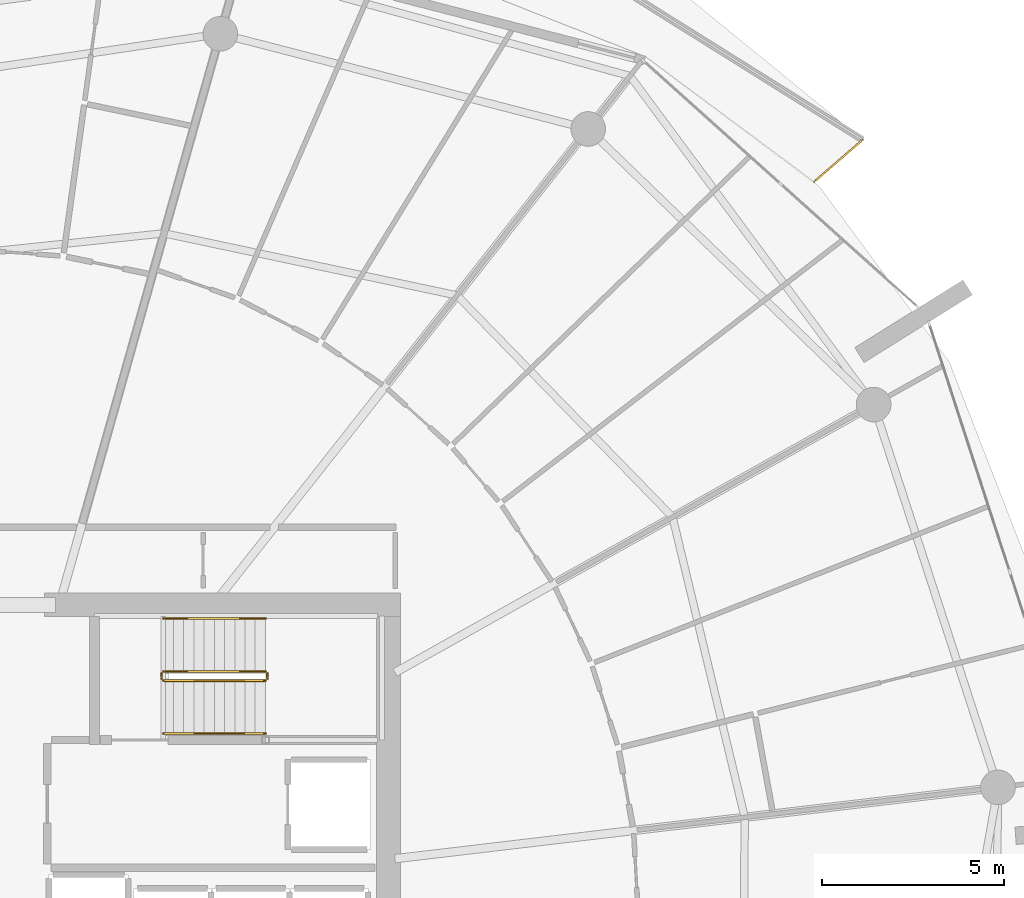
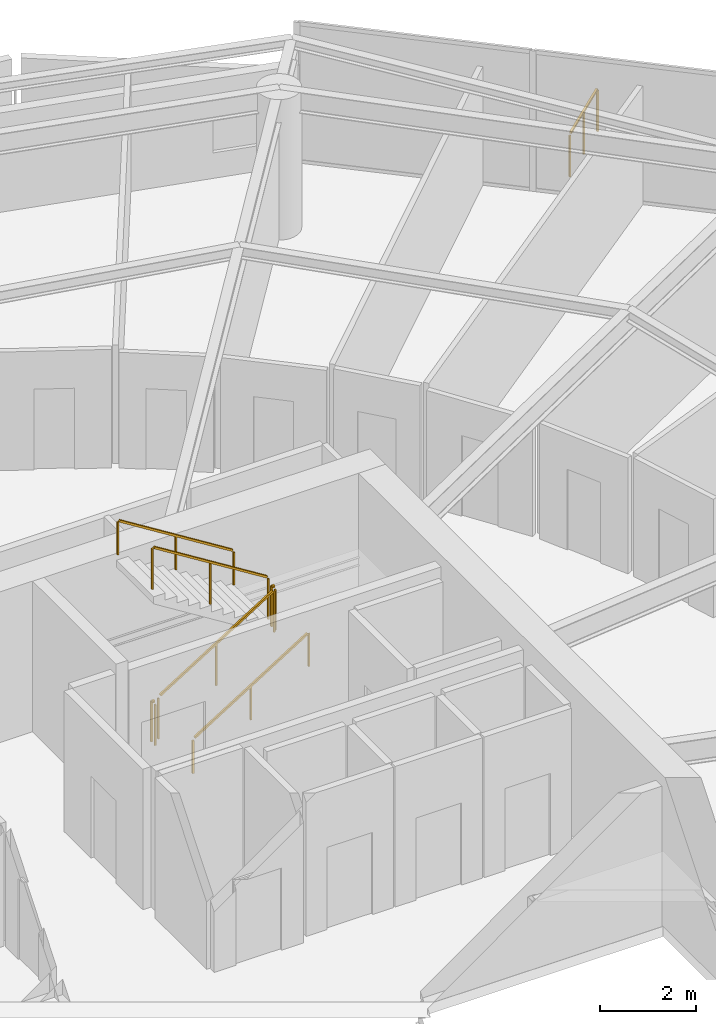
# One storey, part 28 of 29: 7 railings.
"""IFC4 building model written with IfcOpenShell, lengths in metres."""

from ifc_helpers import new_model, si_unit, direction, frame, origin, origin_2d, place, context, subcontext, project, spatial, rectangle, extrude, material, type_object, element, save


model = new_model("IFC4")

# Units and contexts
model_context = context("Model", 3, precision=1e-05, world=origin(), true_north=direction((0.0, 1.0)))
body_context = subcontext(model_context, "Body", "Model", "MODEL_VIEW")
ifc_project = project(units=[si_unit("LENGTHUNIT", "METRE"), si_unit("AREAUNIT", "SQUARE_METRE"), si_unit("VOLUMEUNIT", "CUBIC_METRE"), si_unit("PLANEANGLEUNIT", "RADIAN"), si_unit("MASSUNIT", "GRAM", prefix="KILO")], contexts=[model_context])

# Site, building, storey
site_placement = place(None, origin())
site = spatial("IfcSite", under=ifc_project, at=site_placement, CompositionType="ELEMENT")
building_placement = place(site_placement, origin())
building = spatial("IfcBuilding", under=site, at=building_placement, Name="Kazma Halo Residences", CompositionType="ELEMENT")
storey_placement = place(building_placement, frame((0.0, 0.0, 252.10009765625)))
storey = spatial("IfcBuildingStorey", under=building, at=storey_placement, Name="L63", CompositionType="ELEMENT", Elevation=252.10009765625)

# Railings
ifc_material_1 = material(Name="Aluminium AW-6063 T6 Brushed Cap Rail", Category="aluminium")
railing_type_1 = type_object("IfcRailingType", Name="RLG-BAL-CAP-1120", PredefinedType="BALUSTRADE", material=ifc_material_1)
railing_1_placement = place(storey_placement, frame((71.0400390625, 61.9228515625, 0.0)))
element("IfcRailing", 1, at=railing_1_placement, inside=storey, type_object=railing_type_1, Name="L63 NE wave balcony guard 1", PredefinedType="BALUSTRADE", context=body_context, shape_type="SweptSolid", body=[
    extrude(rectangle(XDim=0.050048828125, YDim=0.050048828125, at=origin_2d()), frame((0.0322265625, 0.02783203125, 1.09521484375), z_axis=(0.756439222674, 0.65406398953, 0.0), x_axis=(-0.65406398953, 0.756439222674, 0.0)), (0.0, 0.0, 1.0), 1.6748046875),
    extrude(rectangle(XDim=0.0400390625, YDim=0.0400390625, at=origin_2d()), origin(), (0.0, 0.0, 1.0), 1.05810546875),
    extrude(rectangle(XDim=0.0400390625, YDim=0.0400390625, at=origin_2d()), frame((0.66552734375, 0.57568359375, 0.0)), (0.0, 0.0, 1.0), 1.05810546875),
    extrude(rectangle(XDim=0.0400390625, YDim=0.0400390625, at=origin_2d()), frame((1.331298828125, 1.151123046875, 0.0)), (0.0, 0.0, 1.0), 1.05810546875),
])
ifc_material_2 = material(Name="Painted Steel S355", Category="steel")
railing_type_2 = type_object("IfcRailingType", Name="RLG-STAIR-GRD-1100", PredefinedType="GUARDRAIL", material=ifc_material_2)
railing_2_placement = place(storey_placement, frame((53.199951171875, 48.25, 0.1748046875)))
element("IfcRailing", 2, at=railing_2_placement, inside=storey, type_object=railing_type_2, Name="L63 ST-02 stair guard 1", PredefinedType="GUARDRAIL", context=body_context, shape_type="SweptSolid", body=[
    extrude(rectangle(XDim=0.050048828125, YDim=0.050048828125, at=origin_2d()), frame((0.0361328125, 0.0, 1.09765625), z_axis=(0.848002457836, 0.0, 0.529992293815), x_axis=(0.0, 1.0, 0.0)), (0.0, 0.0, 1.0), 3.216796875),
    extrude(rectangle(XDim=0.0400390625, YDim=0.0400390625, at=origin_2d()), origin(), (0.0, 0.0, 1.0), 1.0380859375),
    extrude(rectangle(XDim=0.0400390625, YDim=0.0400390625, at=origin_2d()), frame((1.39990234375, 0.0, 0.875)), (0.0, 0.0, 1.0), 1.0380859375),
    extrude(rectangle(XDim=0.0400390625, YDim=0.0400390625, at=origin_2d()), frame((2.800048828125, 0.0, 1.75)), (0.0, 0.0, 1.0), 1.0380859375),
])
railing_3_placement = place(storey_placement, frame((56.050048828125, 48.300048828125, 1.9248046875)))
element("IfcRailing", 3, at=railing_3_placement, inside=storey, type_object=railing_type_2, Name="L63 ST-02 stair guard 2", PredefinedType="GUARDRAIL", context=body_context, shape_type="SweptSolid", body=[
    extrude(rectangle(XDim=0.050048828125, YDim=0.050048828125, at=origin_2d()), frame((0.0, 0.04248046875, 1.0751953125), z_axis=(0.0, 1.0, 0.0), x_axis=(-1.0, 0.0, 0.0)), (0.0, 0.0, 1.0), 0.06494140625),
    extrude(rectangle(XDim=0.0400390625, YDim=0.0400390625, at=origin_2d()), origin(), (0.0, 0.0, 1.0), 1.0380859375),
    extrude(rectangle(XDim=0.0400390625, YDim=0.0400390625, at=origin_2d()), frame((0.0, 0.14990234375, 0.0)), (0.0, 0.0, 1.0), 1.0380859375),
])
railing_4_placement = place(storey_placement, frame((56.0, 48.5, 2.099853515625)))
element("IfcRailing", 4, at=railing_4_placement, inside=storey, type_object=railing_type_2, Name="L63 ST-02 stair guard 3", PredefinedType="GUARDRAIL", context=body_context, shape_type="SweptSolid", body=[
    extrude(rectangle(XDim=0.050048828125, YDim=0.050048828125, at=origin_2d()), frame((-0.0361328125, 0.0, 1.09765625), z_axis=(-0.848002457836, 0.0, 0.529992293815), x_axis=(0.0, -1.0, 0.0)), (0.0, 0.0, 1.0), 3.216796875),
    extrude(rectangle(XDim=0.0400390625, YDim=0.0400390625, at=origin_2d()), origin(), (0.0, 0.0, 1.0), 1.0380859375),
    extrude(rectangle(XDim=0.0400390625, YDim=0.0400390625, at=origin_2d()), frame((-1.39990234375, 0.0, 0.875)), (0.0, 0.0, 1.0), 1.0380859375),
    extrude(rectangle(XDim=0.0400390625, YDim=0.0400390625, at=origin_2d()), frame((-2.800048828125, 0.0, 1.75)), (0.0, 0.0, 1.0), 1.0380859375),
])
railing_5_placement = place(storey_placement, frame((53.14990234375, 48.300048828125, 0.0)))
element("IfcRailing", 5, at=railing_5_placement, inside=storey, type_object=railing_type_2, Name="L63 ST-02 stair guard 4", PredefinedType="GUARDRAIL", context=body_context, shape_type="SweptSolid", body=[
    extrude(rectangle(XDim=0.050048828125, YDim=0.050048828125, at=origin_2d()), frame((0.0, 0.04248046875, 1.0751953125), z_axis=(0.0, 1.0, 0.0), x_axis=(-1.0, 0.0, 0.0)), (0.0, 0.0, 1.0), 0.06494140625),
    extrude(rectangle(XDim=0.0400390625, YDim=0.0400390625, at=origin_2d()), origin(), (0.0, 0.0, 1.0), 1.0380859375),
    extrude(rectangle(XDim=0.0400390625, YDim=0.0400390625, at=origin_2d()), frame((0.0, 0.14990234375, 0.0)), (0.0, 0.0, 1.0), 1.0380859375),
])
ifc_material_3 = material(Name="Brushed Stainless Steel", Category="steel")
railing_type_3 = type_object("IfcRailingType", Name="RLG-STAIR-HND-900", PredefinedType="HANDRAIL", material=ifc_material_3)
railing_6_placement = place(storey_placement, frame((53.199951171875, 46.800048828125, 0.1748046875)))
element("IfcRailing", 6, at=railing_6_placement, inside=storey, type_object=railing_type_3, Name="L63 ST-02 stair handrail 1", PredefinedType="HANDRAIL", context=body_context, shape_type="SweptSolid", body=[
    extrude(rectangle(XDim=0.050048828125, YDim=0.050048828125, at=origin_2d()), frame((0.0361328125, 0.0, 0.8974609375), z_axis=(0.848002457836, 0.0, 0.529992293815), x_axis=(0.0, 1.0, 0.0)), (0.0, 0.0, 1.0), 3.216796875),
    extrude(rectangle(XDim=0.0400390625, YDim=0.0400390625, at=origin_2d()), origin(), (0.0, 0.0, 1.0), 0.837890625),
    extrude(rectangle(XDim=0.0400390625, YDim=0.0400390625, at=origin_2d()), frame((1.39990234375, 0.0, 0.875)), (0.0, 0.0, 1.0), 0.837890625),
    extrude(rectangle(XDim=0.0400390625, YDim=0.0400390625, at=origin_2d()), frame((2.800048828125, 0.0, 1.75)), (0.0, 0.0, 1.0), 0.837890625),
])
railing_7_placement = place(storey_placement, frame((56.0, 49.949951171875, 2.099853515625)))
element("IfcRailing", 7, at=railing_7_placement, inside=storey, type_object=railing_type_3, Name="L63 ST-02 stair handrail 2", PredefinedType="HANDRAIL", context=body_context, shape_type="SweptSolid", body=[
    extrude(rectangle(XDim=0.050048828125, YDim=0.050048828125, at=origin_2d()), frame((-0.0361328125, 0.0, 0.8974609375), z_axis=(-0.848002457836, 0.0, 0.529992293815), x_axis=(0.0, -1.0, 0.0)), (0.0, 0.0, 1.0), 3.216796875),
    extrude(rectangle(XDim=0.0400390625, YDim=0.0400390625, at=origin_2d()), origin(), (0.0, 0.0, 1.0), 0.837890625),
    extrude(rectangle(XDim=0.0400390625, YDim=0.0400390625, at=origin_2d()), frame((-1.39990234375, 0.0, 0.875)), (0.0, 0.0, 1.0), 0.837890625),
    extrude(rectangle(XDim=0.0400390625, YDim=0.0400390625, at=origin_2d()), frame((-2.800048828125, 0.0, 1.75)), (0.0, 0.0, 1.0), 0.837890625),
])

save(model, "model.ifc")
